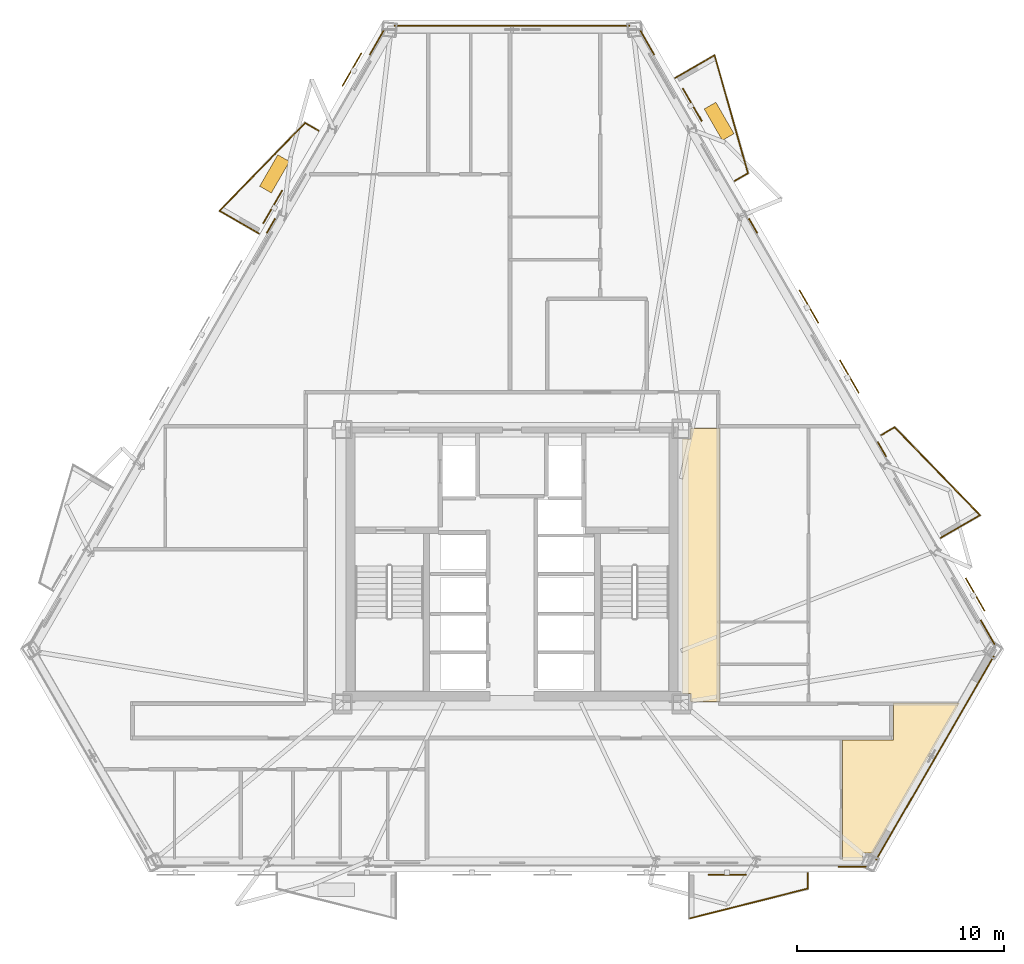
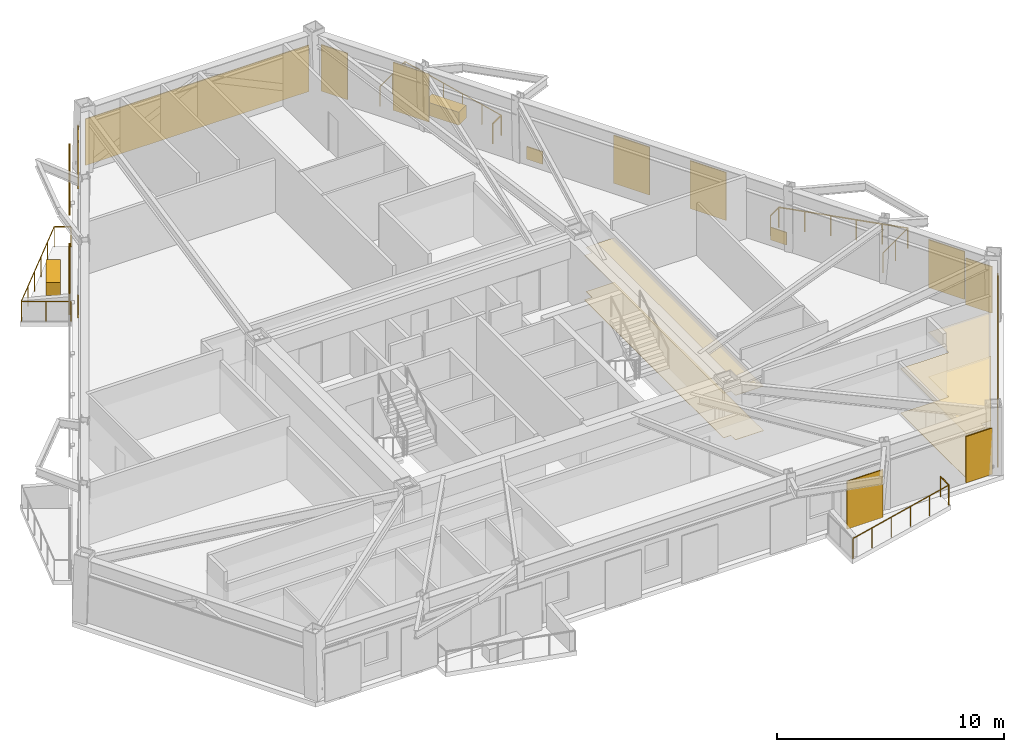
# One storey, part 10 of 10: 15 coverings, 11 railings, 7 shading devices.
"""IFC4 building model written with IfcOpenShell, lengths in metres."""

from ifc_helpers import new_model, si_unit, direction, frame, origin, origin_2d, place, context, subcontext, project, spatial, polyline, rectangle, circle, outline, extrude, material, layer, layer_set, type_object, element, save


model = new_model("IFC4")

# Units and contexts
model_context = context("Model", 3, precision=1e-05, world=origin(), true_north=direction((0.0, 1.0)))
body_context = subcontext(model_context, "Body", "Model", "MODEL_VIEW")
ifc_project = project(units=[si_unit("LENGTHUNIT", "METRE"), si_unit("AREAUNIT", "SQUARE_METRE"), si_unit("VOLUMEUNIT", "CUBIC_METRE"), si_unit("PLANEANGLEUNIT", "RADIAN"), si_unit("MASSUNIT", "GRAM", prefix="KILO")], contexts=[model_context])

# Site, building, storey
site_placement = place(None, origin())
site = spatial("IfcSite", under=ifc_project, at=site_placement, CompositionType="ELEMENT")
building_placement = place(site_placement, origin())
building = spatial("IfcBuilding", under=site, at=building_placement, Name="Oramaril Tower", CompositionType="ELEMENT")
storey_placement = place(building_placement, frame((0.0, 0.0, 100.5)))
storey = spatial("IfcBuildingStorey", under=building, at=storey_placement, Name="L26", CompositionType="ELEMENT", Elevation=100.5)

# Coverings
ifc_material_1 = material(Name="Mineral Fibre Acoustic Ceiling")
ifc_layer_1 = layer(ifc_material_1, 0.02001953125)
ifc_layer_set_1 = layer_set([ifc_layer_1], Name="CVT-CEIL")
covering_type_1 = type_object("IfcCoveringType", Name="CVT-CEIL", PredefinedType="CEILING", material=ifc_layer_set_1)
covering_1_placement = place(storey_placement, frame((0.0, 0.0, 2.39990234375)))
element("IfcCovering", 1, at=covering_1_placement, inside=storey, type_object=covering_type_1, Name="L26 Acoustic Suspended Ceiling 4", PredefinedType="CEILING", context=body_context, shape_type="SweptSolid", body=[
    extrude(outline(polyline([(47.530029296875, 11.050048828125), (46.094970703125, 11.050048828125), (46.094970703125, 11.445068359375), (45.719970703125, 11.445068359375), (45.719970703125, 23.705078125), (46.094970703125, 23.705078125), (46.094970703125, 24.219970703125), (47.530029296875, 24.219970703125), (47.530029296875, 11.050048828125)])), origin(), (0.0, 0.0, 1.0), 0.02001953125),
])
covering_2_placement = place(storey_placement, frame((0.0, 0.0, 2.39990234375)))
element("IfcCovering", 2, at=covering_2_placement, inside=storey, type_object=covering_type_1, Name="L26 Acoustic Suspended Ceiling 7", PredefinedType="CEILING", context=body_context, shape_type="SweptSolid", body=[
    extrude(outline(polyline([(59.08251953125, 10.991943359375), (54.8974609375, 3.743408203125), (54.38818359375, 3.743408203125), (54.38818359375, 3.394287109375), (53.4375, 3.394287109375), (53.4375, 9.199951171875), (55.8798828125, 9.199951171875), (55.882080078125, 9.2001953125), (55.8837890625, 9.200439453125), (55.8857421875, 9.200927734375), (55.8876953125, 9.201416015625), (55.889404296875, 9.202392578125), (55.89111328125, 9.203369140625), (55.892578125, 9.20458984375), (55.89404296875, 9.205810546875), (55.8955078125, 9.207275390625), (55.896484375, 9.208984375), (55.897705078125, 9.210693359375), (55.8984375, 9.21240234375), (55.899169921875, 9.214111328125), (55.899658203125, 9.216064453125), (55.89990234375, 9.218017578125), (55.89990234375, 9.219970703125), (55.89990234375, 10.991943359375), (59.08251953125, 10.991943359375)])), origin(), (0.0, 0.0, 1.0), 0.02001953125),
])
ifc_material_2 = material(Name="Warm Cream Limestone", Category="masonry")
ifc_layer_2 = layer(ifc_material_2, 0.050048828125)
ifc_layer_set_2 = layer_set([ifc_layer_2], Name="CVT-CLD")
covering_type_2 = type_object("IfcCoveringType", Name="CVT-CLD", PredefinedType="CLADDING", material=ifc_layer_set_2)
covering_3_placement = place(storey_placement, frame((53.908203125, 3.09326171875, 0.0400390625), z_axis=(0.0, 0.0, 1.0), x_axis=(1.0, 0.0, 0.0)))
element("IfcCovering", 3, at=covering_3_placement, inside=storey, type_object=covering_type_2, Name="L26 Warm Cream Limestone Cladding", PredefinedType="CLADDING", context=body_context, shape_type="SweptSolid", body=[
    extrude(rectangle(XDim=1.35009765625, YDim=0.050048828125, at=origin_2d()), origin(), (0.0, 0.0, 1.0), 2.498046875),
])
covering_4_placement = place(storey_placement, frame((57.891357421875, 8.326904296875, 0.0400390625), z_axis=(0.0, 0.0, 1.0), x_axis=(0.4999984885, 0.866026276448, 0.0)))
element("IfcCovering", 4, at=covering_4_placement, inside=storey, type_object=covering_type_2, Name="L26 Warm Cream Limestone Cladding", PredefinedType="CLADDING", context=body_context, shape_type="SweptSolid", body=[
    extrude(rectangle(XDim=11.36376953125, YDim=0.050048828125, at=origin_2d()), origin(), (0.0, 0.0, 1.0), 2.498046875),
])
for number, where, z_axis, x_axis, name in (
    (5, (60.432373046875, 14.393310546875, 0.0400390625), (0.0, 0.0, 1.0), (-0.5, 0.866025403784, 0.0), "L26 Warm Cream Limestone Cladding"),
    (6, (44.02392578125, 42.8134765625, 0.0400390625), (0.0, 0.0, 1.0), (-0.5, 0.866025403784, 0.0), "L26 Warm Cream Limestone Cladding"),
):
    element("IfcCovering", number, at=place(storey_placement, frame(where, z_axis=z_axis, x_axis=x_axis)), inside=storey, type_object=covering_type_2, Name=name, PredefinedType="CLADDING", context=body_context, shape_type="SweptSolid", body=[
        extrude(rectangle(XDim=1.35009765625, YDim=0.050048828125, at=origin_2d()), origin(), (0.0, 0.0, 1.0), 2.498046875),
    ])
for number, where, z_axis, x_axis, name in (
    (7, (55.334716796875, 23.22265625, 0.0400390625), (0.0, 0.0, 1.0), (-0.5, 0.866025403784, 0.0), "L26 Warm Cream Limestone Spandrel Cladding"),
    (8, (49.12158203125, 33.98388671875, 0.0400390625), (0.0, 0.0, 1.0), (-0.5, 0.866025403784, 0.0), "L26 Warm Cream Limestone Spandrel Cladding"),
):
    element("IfcCovering", number, at=place(storey_placement, frame(where, z_axis=z_axis, x_axis=x_axis)), inside=storey, type_object=covering_type_2, Name=name, PredefinedType="CLADDING", context=body_context, shape_type="SweptSolid", body=[
        extrude(rectangle(XDim=0.800048828125, YDim=0.050048828125, at=origin_2d()), origin(), (0.0, 0.0, 1.0), 0.679931640625),
    ])
covering_5_placement = place(storey_placement, frame((37.5, 43.64599609375, 0.0400390625), z_axis=(0.0, 0.0, 1.0), x_axis=(-1.0, 0.0, 0.0)))
element("IfcCovering", 9, at=covering_5_placement, inside=storey, type_object=covering_type_2, Name="L26 Warm Cream Limestone Cladding", PredefinedType="CLADDING", context=body_context, shape_type="SweptSolid", body=[
    extrude(rectangle(XDim=11.36376953125, YDim=0.050048828125, at=origin_2d()), origin(), (0.0, 0.0, 1.0), 2.498046875),
])
covering_6_placement = place(storey_placement, frame((30.97607421875, 42.8134765625, 0.0400390625), z_axis=(0.0, 0.0, 1.0), x_axis=(-0.5, -0.866025403784, 0.0)))
element("IfcCovering", 10, at=covering_6_placement, inside=storey, type_object=covering_type_2, Name="L26 Warm Cream Limestone Cladding", PredefinedType="CLADDING", context=body_context, shape_type="SweptSolid", body=[
    extrude(rectangle(XDim=1.35009765625, YDim=0.050048828125, at=origin_2d()), origin(), (0.0, 0.0, 1.0), 2.498046875),
])
covering_7_placement = place(storey_placement, frame((25.87841796875, 33.98388671875, 0.0400390625), z_axis=(0.0, 0.0, 1.0), x_axis=(-0.5, -0.866025403784, 0.0)))
element("IfcCovering", 11, at=covering_7_placement, inside=storey, type_object=covering_type_2, Name="L26 Warm Cream Limestone Spandrel Cladding", PredefinedType="CLADDING", context=body_context, shape_type="SweptSolid", body=[
    extrude(rectangle(XDim=0.800048828125, YDim=0.050048828125, at=origin_2d()), origin(), (0.0, 0.0, 1.0), 0.679931640625),
])
for number, where, z_axis, x_axis, name in (
    (12, (47.484619140625, 39.02685546875, 0.0), (0.0, 0.0, 1.0), (-0.5, 0.866025403784, 0.0), "L26 Structural Tree Planter Box L26-BAL-NE2"),
    (13, (26.052978515625, 36.49365234375, 0.0), (0.0, 0.0, 1.0), (-0.5, -0.866025403784, 0.0), "L26 Structural Tree Planter Box L26-BAL-NW1"),
):
    element("IfcCovering", number, at=place(storey_placement, frame(where, z_axis=z_axis, x_axis=x_axis)), inside=storey, type_object=covering_type_2, Name=name, PredefinedType="CLADDING", context=body_context, shape_type="SweptSolid", body=[
        extrude(rectangle(XDim=1.75, YDim=0.64990234375, at=origin_2d()), origin(), (0.0, 0.0, 1.0), 0.699951171875),
    ])
ifc_material_3 = material(Name="Honed Quartzite Stone Flooring", Category="masonry")
ifc_layer_3 = layer(ifc_material_3, 0.02490234375)
ifc_layer_set_3 = layer_set([ifc_layer_3], Name="CVT-FLR")
covering_type_3 = type_object("IfcCoveringType", Name="CVT-FLR", PredefinedType="FLOORING", material=ifc_layer_set_3)
covering_8_placement = place(storey_placement, origin())
element("IfcCovering", 14, at=covering_8_placement, inside=storey, type_object=covering_type_3, Name="L26 Honed Stone Floor Finish 4", PredefinedType="FLOORING", context=body_context, shape_type="SweptSolid", body=[
    extrude(outline(polyline([(47.530029296875, 11.050048828125), (46.094970703125, 11.050048828125), (46.094970703125, 11.445068359375), (45.719970703125, 11.445068359375), (45.719970703125, 23.705078125), (46.094970703125, 23.705078125), (46.094970703125, 24.219970703125), (47.530029296875, 24.219970703125), (47.530029296875, 11.050048828125)])), origin(), (0.0, 0.0, 1.0), 0.02490234375),
])
covering_9_placement = place(storey_placement, origin())
element("IfcCovering", 15, at=covering_9_placement, inside=storey, type_object=covering_type_3, Name="L26 Honed Stone Floor Finish 7", PredefinedType="FLOORING", context=body_context, shape_type="SweptSolid", body=[
    extrude(outline(polyline([(59.08251953125, 10.991943359375), (54.8974609375, 3.743408203125), (54.38818359375, 3.743408203125), (54.38818359375, 3.394287109375), (53.4375, 3.394287109375), (53.4375, 9.199951171875), (55.8798828125, 9.199951171875), (55.882080078125, 9.2001953125), (55.8837890625, 9.200439453125), (55.8857421875, 9.200927734375), (55.8876953125, 9.201416015625), (55.889404296875, 9.202392578125), (55.89111328125, 9.203369140625), (55.892578125, 9.20458984375), (55.89404296875, 9.205810546875), (55.8955078125, 9.207275390625), (55.896484375, 9.208984375), (55.897705078125, 9.210693359375), (55.8984375, 9.21240234375), (55.899169921875, 9.214111328125), (55.899658203125, 9.216064453125), (55.89990234375, 9.218017578125), (55.89990234375, 9.219970703125), (55.89990234375, 10.991943359375), (59.08251953125, 10.991943359375)])), origin(), (0.0, 0.0, 1.0), 0.02490234375),
])

# Railings
ifc_material_4 = material(Name="Stainless Steel 316L", Category="steel")
railing_type = type_object("IfcRailingType", Name="RLT-GRD", PredefinedType="GUARDRAIL", material=ifc_material_4)
railing_1_placement = place(storey_placement, frame((51.763916015625, 2.7783203125, 0.0)))
element("IfcRailing", 16, at=railing_1_placement, inside=storey, type_object=railing_type, Name="L26 Balcony Guardrail L26-BAL-S2.1", PredefinedType="GUARDRAIL", context=body_context, shape_type="SweptSolid", body=[
    extrude(circle(Radius=0.02392578125, at=origin_2d()), frame((0.0, 0.0, 1.076171875), z_axis=(0.0, -1.0, 0.0), x_axis=(1.0, 0.0, 0.0)), (0.0, 0.0, 1.0), 0.741943359375),
    extrude(circle(Radius=0.02099609375, at=origin_2d()), origin(), (0.0, 0.0, 1.0), 1.052001953125),
    extrude(circle(Radius=0.02099609375, at=origin_2d()), frame((0.0, -0.741943359375, 0.0)), (0.0, 0.0, 1.0), 1.052001953125),
])
railing_2_placement = place(storey_placement, frame((51.763916015625, 2.036376953125, 0.0)))
element("IfcRailing", 17, at=railing_2_placement, inside=storey, type_object=railing_type, Name="L26 Balcony Guardrail L26-BAL-S2.2", PredefinedType="GUARDRAIL", context=body_context, shape_type="SweptSolid", body=[
    extrude(circle(Radius=0.02392578125, at=origin_2d()), frame((0.0, 0.0, 1.076171875), z_axis=(-0.969433787338, -0.245353076131, 0.0), x_axis=(0.245353076131, -0.969433787338, 0.0)), (0.0, 0.0, 1.0), 5.91064453125),
    extrude(circle(Radius=0.02099609375, at=origin_2d()), origin(), (0.0, 0.0, 1.0), 1.052001953125),
    extrude(circle(Radius=0.02099609375, at=origin_2d()), frame((-1.14599609375, -0.2900390625, 0.0)), (0.0, 0.0, 1.0), 1.052001953125),
    extrude(circle(Radius=0.02099609375, at=origin_2d()), frame((-2.2919921875, -0.580078125, 0.0)), (0.0, 0.0, 1.0), 1.052001953125),
    extrude(circle(Radius=0.02099609375, at=origin_2d()), frame((-3.43798828125, -0.8701171875, 0.0)), (0.0, 0.0, 1.0), 1.052001953125),
    extrude(circle(Radius=0.02099609375, at=origin_2d()), frame((-4.583984375, -1.16015625, 0.0)), (0.0, 0.0, 1.0), 1.052001953125),
    extrude(circle(Radius=0.02099609375, at=origin_2d()), frame((-5.72998046875, -1.4501953125, 0.0)), (0.0, 0.0, 1.0), 1.052001953125),
])
railing_3_placement = place(storey_placement, frame((55.305419921875, 23.9033203125, 0.0)))
element("IfcRailing", 18, at=railing_3_placement, inside=storey, type_object=railing_type, Name="L26 Balcony Guardrail L26-BAL-NE1.1", PredefinedType="GUARDRAIL", context=body_context, shape_type="SweptSolid", body=[
    extrude(circle(Radius=0.02392578125, at=origin_2d()), frame((0.0, 0.0, 1.076171875), z_axis=(0.865966403178, 0.500102178127, 0.0), x_axis=(-0.500102178127, 0.865966403178, 0.0)), (0.0, 0.0, 1.0), 0.741943359375),
    extrude(circle(Radius=0.02099609375, at=origin_2d()), origin(), (0.0, 0.0, 1.0), 1.052001953125),
    extrude(circle(Radius=0.02099609375, at=origin_2d()), frame((0.642578125, 0.37109375, 0.0)), (0.0, 0.0, 1.0), 1.052001953125),
])
railing_4_placement = place(storey_placement, frame((55.947998046875, 24.2744140625, 0.0)))
element("IfcRailing", 19, at=railing_4_placement, inside=storey, type_object=railing_type, Name="L26 Balcony Guardrail L26-BAL-NE1.2", PredefinedType="GUARDRAIL", context=body_context, shape_type="SweptSolid", body=[
    extrude(circle(Radius=0.02392578125, at=origin_2d()), frame((0.0, 0.0, 1.076171875), z_axis=(0.697186915353, -0.716889395277, 0.0), x_axis=(0.716889395277, 0.697186915353, 0.0)), (0.0, 0.0, 1.0), 5.91064453125),
    extrude(circle(Radius=0.02099609375, at=origin_2d()), origin(), (0.0, 0.0, 1.0), 1.052001953125),
    extrude(circle(Radius=0.02099609375, at=origin_2d()), frame((0.82421875, -0.847412109375, 0.0)), (0.0, 0.0, 1.0), 1.052001953125),
    extrude(circle(Radius=0.02099609375, at=origin_2d()), frame((1.6484375, -1.69482421875, 0.0)), (0.0, 0.0, 1.0), 1.052001953125),
    extrude(circle(Radius=0.02099609375, at=origin_2d()), frame((2.472412109375, -2.54248046875, 0.0)), (0.0, 0.0, 1.0), 1.052001953125),
    extrude(circle(Radius=0.02099609375, at=origin_2d()), frame((3.296630859375, -3.389892578125, 0.0)), (0.0, 0.0, 1.0), 1.052001953125),
    extrude(circle(Radius=0.02099609375, at=origin_2d()), frame((4.120849609375, -4.2373046875, 0.0)), (0.0, 0.0, 1.0), 1.052001953125),
])
railing_5_placement = place(storey_placement, frame((60.06884765625, 20.037109375, 0.0)))
element("IfcRailing", 20, at=railing_5_placement, inside=storey, type_object=railing_type, Name="L26 Balcony Guardrail L26-BAL-NE1.3", PredefinedType="GUARDRAIL", context=body_context, shape_type="SweptSolid", body=[
    extrude(circle(Radius=0.02392578125, at=origin_2d()), frame((0.0, 0.0, 1.076171875), z_axis=(-0.866048343933, -0.499960264392, 0.0), x_axis=(0.499960264392, -0.866048343933, 0.0)), (0.0, 0.0, 1.0), 2.192138671875),
    extrude(circle(Radius=0.02099609375, at=origin_2d()), origin(), (0.0, 0.0, 1.0), 1.052001953125),
    extrude(circle(Radius=0.02099609375, at=origin_2d()), frame((-0.94921875, -0.5478515625, 0.0)), (0.0, 0.0, 1.0), 1.052001953125),
    extrude(circle(Radius=0.02099609375, at=origin_2d()), frame((-1.8984375, -1.095947265625, 0.0)), (0.0, 0.0, 1.0), 1.052001953125),
])
railing_6_placement = place(storey_placement, frame((45.369140625, 41.11376953125, 0.0)))
element("IfcRailing", 21, at=railing_6_placement, inside=storey, type_object=railing_type, Name="L26 Balcony Guardrail L26-BAL-NE2.1", PredefinedType="GUARDRAIL", context=body_context, shape_type="SweptSolid", body=[
    extrude(circle(Radius=0.02392578125, at=origin_2d()), frame((0.0, 0.0, 1.076171875), z_axis=(0.866020500697, 0.5000084923, 0.0), x_axis=(-0.5000084923, 0.866020500697, 0.0)), (0.0, 0.0, 1.0), 2.19189453125),
    extrude(circle(Radius=0.02099609375, at=origin_2d()), origin(), (0.0, 0.0, 1.0), 1.052001953125),
    extrude(circle(Radius=0.02099609375, at=origin_2d()), frame((0.94921875, 0.5478515625, 0.0)), (0.0, 0.0, 1.0), 1.052001953125),
    extrude(circle(Radius=0.02099609375, at=origin_2d()), frame((1.898193359375, 1.095947265625, 0.0)), (0.0, 0.0, 1.0), 1.052001953125),
])
railing_7_placement = place(storey_placement, frame((47.267333984375, 42.209716796875, 0.0)))
element("IfcRailing", 22, at=railing_7_placement, inside=storey, type_object=railing_type, Name="L26 Balcony Guardrail L26-BAL-NE2.2", PredefinedType="GUARDRAIL", context=body_context, shape_type="SweptSolid", body=[
    extrude(circle(Radius=0.02392578125, at=origin_2d()), frame((0.0, 0.0, 1.076171875), z_axis=(0.272287109361, -0.962216051662, 0.0), x_axis=(0.962216051662, 0.272287109361, 0.0)), (0.0, 0.0, 1.0), 5.91064453125),
    extrude(circle(Radius=0.02099609375, at=origin_2d()), origin(), (0.0, 0.0, 1.0), 1.052001953125),
    extrude(circle(Radius=0.02099609375, at=origin_2d()), frame((0.32177734375, -1.137451171875, 0.0)), (0.0, 0.0, 1.0), 1.052001953125),
    extrude(circle(Radius=0.02099609375, at=origin_2d()), frame((0.643798828125, -2.27490234375, 0.0)), (0.0, 0.0, 1.0), 1.052001953125),
    extrude(circle(Radius=0.02099609375, at=origin_2d()), frame((0.965576171875, -3.412353515625, 0.0)), (0.0, 0.0, 1.0), 1.052001953125),
    extrude(circle(Radius=0.02099609375, at=origin_2d()), frame((1.28759765625, -4.5498046875, 0.0)), (0.0, 0.0, 1.0), 1.052001953125),
    extrude(circle(Radius=0.02099609375, at=origin_2d()), frame((1.609375, -5.687255859375, 0.0)), (0.0, 0.0, 1.0), 1.052001953125),
])
railing_8_placement = place(storey_placement, frame((48.876708984375, 36.5224609375, 0.0)))
element("IfcRailing", 23, at=railing_8_placement, inside=storey, type_object=railing_type, Name="L26 Balcony Guardrail L26-BAL-NE2.3", PredefinedType="GUARDRAIL", context=body_context, shape_type="SweptSolid", body=[
    extrude(circle(Radius=0.02392578125, at=origin_2d()), frame((0.0, 0.0, 1.076171875), z_axis=(-0.866108878364, -0.499855389907, 0.0), x_axis=(0.499855389907, -0.866108878364, 0.0)), (0.0, 0.0, 1.0), 0.741943359375),
    extrude(circle(Radius=0.02099609375, at=origin_2d()), origin(), (0.0, 0.0, 1.0), 1.052001953125),
    extrude(circle(Radius=0.02099609375, at=origin_2d()), frame((-0.642578125, -0.370849609375, 0.0)), (0.0, 0.0, 1.0), 1.052001953125),
])
railing_9_placement = place(storey_placement, frame((25.303466796875, 33.618408203125, 0.0)))
element("IfcRailing", 24, at=railing_9_placement, inside=storey, type_object=railing_type, Name="L26 Balcony Guardrail L26-BAL-NW1.1", PredefinedType="GUARDRAIL", context=body_context, shape_type="SweptSolid", body=[
    extrude(circle(Radius=0.02392578125, at=origin_2d()), frame((0.0, 0.0, 1.076171875), z_axis=(-0.866048343933, 0.499960264392, 0.0), x_axis=(-0.499960264392, -0.866048343933, 0.0)), (0.0, 0.0, 1.0), 2.192138671875),
    extrude(circle(Radius=0.02099609375, at=origin_2d()), origin(), (0.0, 0.0, 1.0), 1.052001953125),
    extrude(circle(Radius=0.02099609375, at=origin_2d()), frame((-0.94921875, 0.5478515625, 0.0)), (0.0, 0.0, 1.0), 1.052001953125),
    extrude(circle(Radius=0.02099609375, at=origin_2d()), frame((-1.8984375, 1.095947265625, 0.0)), (0.0, 0.0, 1.0), 1.052001953125),
])
railing_10_placement = place(storey_placement, frame((23.405029296875, 34.71435546875, 0.0)))
element("IfcRailing", 25, at=railing_10_placement, inside=storey, type_object=railing_type, Name="L26 Balcony Guardrail L26-BAL-NW1.2", PredefinedType="GUARDRAIL", context=body_context, shape_type="SweptSolid", body=[
    extrude(circle(Radius=0.02392578125, at=origin_2d()), frame((0.0, 0.0, 1.076171875), z_axis=(0.697186915353, 0.716889395277, 0.0), x_axis=(-0.716889395277, 0.697186915353, 0.0)), (0.0, 0.0, 1.0), 5.91064453125),
    extrude(circle(Radius=0.02099609375, at=origin_2d()), origin(), (0.0, 0.0, 1.0), 1.052001953125),
    extrude(circle(Radius=0.02099609375, at=origin_2d()), frame((0.82421875, 0.847412109375, 0.0)), (0.0, 0.0, 1.0), 1.052001953125),
    extrude(circle(Radius=0.02099609375, at=origin_2d()), frame((1.6484375, 1.69482421875, 0.0)), (0.0, 0.0, 1.0), 1.052001953125),
    extrude(circle(Radius=0.02099609375, at=origin_2d()), frame((2.472412109375, 2.54248046875, 0.0)), (0.0, 0.0, 1.0), 1.052001953125),
    extrude(circle(Radius=0.02099609375, at=origin_2d()), frame((3.296630859375, 3.389892578125, 0.0)), (0.0, 0.0, 1.0), 1.052001953125),
    extrude(circle(Radius=0.02099609375, at=origin_2d()), frame((4.120849609375, 4.2373046875, 0.0)), (0.0, 0.0, 1.0), 1.052001953125),
])
railing_11_placement = place(storey_placement, frame((27.52587890625, 38.95166015625, 0.0)))
element("IfcRailing", 26, at=railing_11_placement, inside=storey, type_object=railing_type, Name="L26 Balcony Guardrail L26-BAL-NW1.3", PredefinedType="GUARDRAIL", context=body_context, shape_type="SweptSolid", body=[
    extrude(circle(Radius=0.02392578125, at=origin_2d()), frame((0.0, 0.0, 1.076171875), z_axis=(0.865966403178, -0.500102178127, 0.0), x_axis=(0.500102178127, 0.865966403178, 0.0)), (0.0, 0.0, 1.0), 0.741943359375),
    extrude(circle(Radius=0.02099609375, at=origin_2d()), origin(), (0.0, 0.0, 1.0), 1.052001953125),
    extrude(circle(Radius=0.02099609375, at=origin_2d()), frame((0.642578125, -0.37109375, 0.0)), (0.0, 0.0, 1.0), 1.052001953125),
])

# Shading devices
for number, where, z_axis, x_axis, name in (
    (27, (47.8740234375, 2.706298828125, -0.02001953125), (0.0, 0.0, 1.0), (1.0, 0.0, 0.0), "L26 Perforated Ceramic Solar Screen"),
    (28, (59.8291015625, 16.21240234375, -0.02001953125), (0.0, 0.0, 1.0), (-0.5, 0.866025403784, 0.0), "L26 Perforated Ceramic Solar Screen"),
    (29, (53.763916015625, 26.717529296875, -0.02001953125), (0.0, 0.0, 1.0), (-0.5, 0.866025403784, 0.0), "L26 Perforated Ceramic Solar Screen"),
    (30, (51.813720703125, 30.09521484375, -0.02001953125), (0.0, 0.0, 1.0), (-0.5, 0.866025403784, 0.0), "L26 Perforated Ceramic Solar Screen"),
    (31, (46.1962890625, 39.8251953125, -0.02001953125), (0.0, 0.0, 1.0), (-0.5, 0.866025403784, 0.0), "L26 Perforated Ceramic Solar Screen"),
    (32, (25.959716796875, 34.89892578125, -0.02001953125), (0.0, 0.0, 1.0), (-0.5, -0.866025403784, 0.0), "L26 Perforated Ceramic Solar Screen"),
    (33, (29.784423828125, 41.523681640625, -0.02001953125), (0.0, 0.0, 1.0), (-0.5, -0.866025403784, 0.0), "L26 Perforated Ceramic Solar Screen"),
):
    element("IfcShadingDevice", number, at=place(storey_placement, frame(where, z_axis=z_axis, x_axis=x_axis)), inside=storey, Name=name, ObjectType="SCREEN", PredefinedType="USERDEFINED", context=body_context, shape_type="SweptSolid", body=[
        extrude(rectangle(XDim=1.8330078125, YDim=0.050048828125, at=origin_2d()), origin(), (0.0, 0.0, 1.0), 2.577880859375),
    ])

save(model, "model.ifc")
